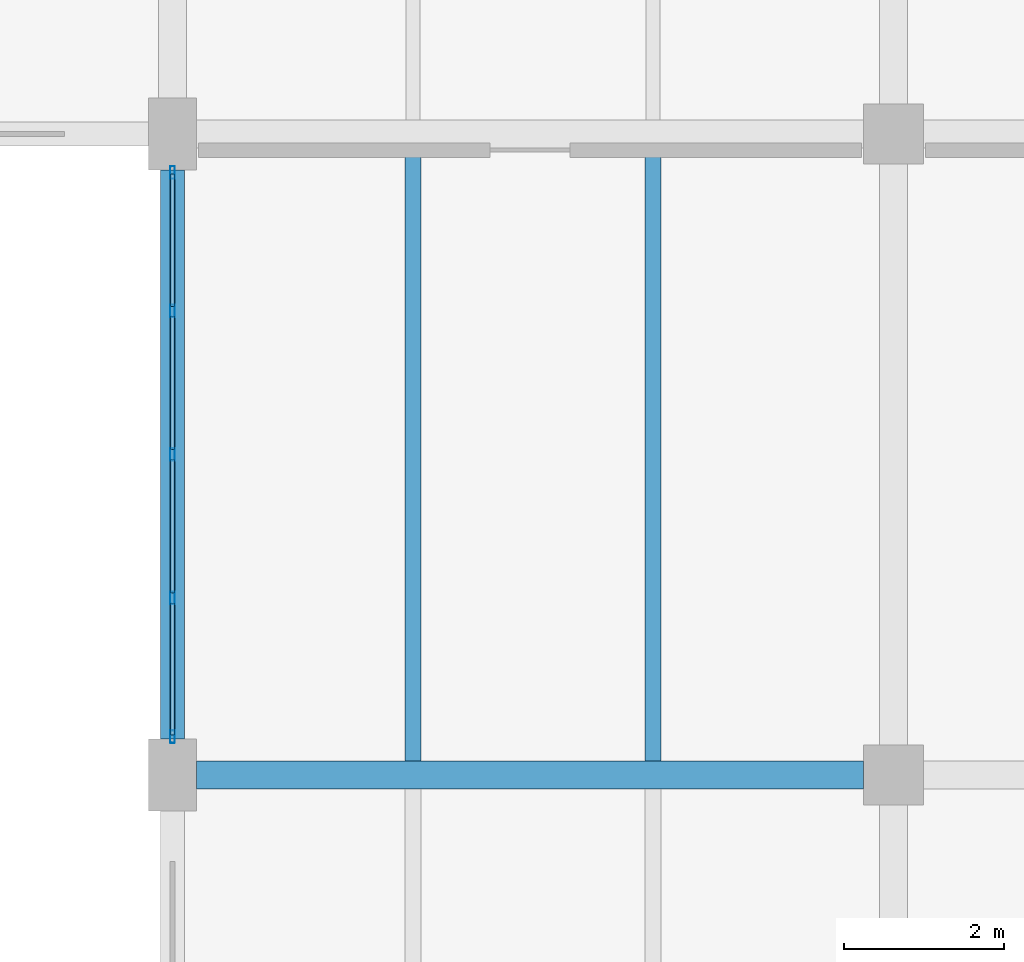
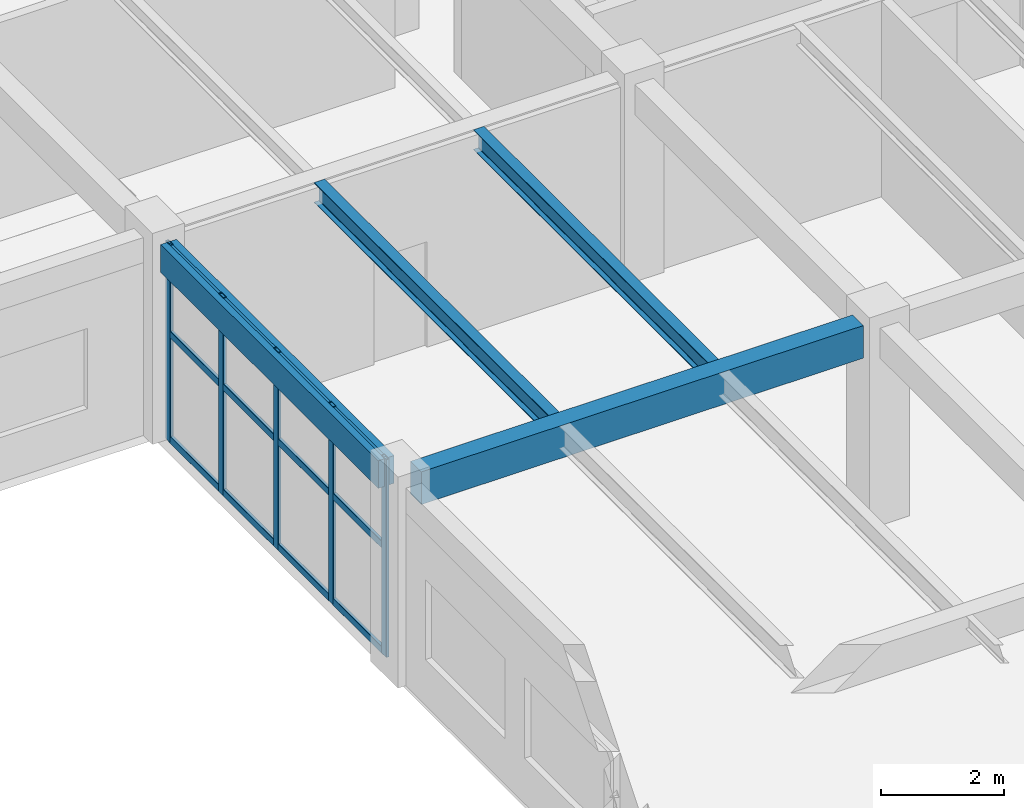
# One storey, part 87 of 128: 17 members, 4 beams, 1 element without a shape of its own.
"""IFC4 building model written with IfcOpenShell, lengths in metres."""

from ifc_helpers import new_model, si_unit, derived_unit, direction, frame, origin, origin_2d, place, context, subcontext, project, spatial, rectangle, hollow_rectangle, i_section, extrude, material, material_profile, profile_set, type_object, element, aggregate, save


model = new_model("IFC4")

# Units and contexts
model_context = context("Model", 3, precision=1e-05, world=origin(), true_north=direction((0.0, 1.0)))
body_context = subcontext(model_context, "Body", "Model", "MODEL_VIEW")
ifc_project = project(units=[si_unit("LENGTHUNIT", "METRE"), si_unit("AREAUNIT", "SQUARE_METRE"), si_unit("VOLUMEUNIT", "CUBIC_METRE"), si_unit("PLANEANGLEUNIT", "RADIAN"), si_unit("MASSUNIT", "GRAM", prefix="KILO"), derived_unit("THERMALTRANSMITTANCEUNIT", [(si_unit("MASSUNIT", "GRAM", prefix="KILO"), 1), (si_unit("TIMEUNIT", "SECOND"), -3), (si_unit("THERMODYNAMICTEMPERATUREUNIT", "KELVIN"), -1)])], contexts=[model_context])

# Site, building, storey
site_placement = place(None, origin())
site = spatial("IfcSite", under=ifc_project, at=site_placement, CompositionType="ELEMENT")
building_placement = place(site_placement, origin())
building = spatial("IfcBuilding", under=site, at=building_placement, Name="Zhenchuan Archway Interchange", CompositionType="ELEMENT")
storey_placement = place(building_placement, frame((0.0, 0.0, 14.39990234375)))
storey = spatial("IfcBuildingStorey", under=building, at=storey_placement, Name="L03", CompositionType="ELEMENT", Elevation=14.39990234375)

# Beam
ifc_material_1 = material(Name="Concrete C40", Category="concrete")
ifc_material_profile_1 = material_profile(ifc_material_1, rectangle(XDim=0.35009765625, YDim=0.64990234375, at=origin_2d()), Name="RC 350x650")
ifc_profile_set_1 = profile_set([ifc_material_profile_1], Name="Concrete C40")
beam_type_1 = type_object("IfcBeamType", Name="BM_RC_350x650", PredefinedType="BEAM", material=ifc_profile_set_1)
beam_1_placement = place(storey_placement, frame((144.300048828125, 80.0, 3.60498046875), z_axis=(1.0, 0.0, 0.0), x_axis=(0.0, 1.0, 0.0)))
element("IfcBeam", 1, at=beam_1_placement, inside=storey, type_object=beam_type_1, Name="Beam L:17-18 (L03)", PredefinedType="BEAM", context=body_context, shape_type="SweptSolid", body=[
    extrude(rectangle(XDim=0.35009765625, YDim=0.64990234375, at=origin_2d()), origin(), (0.0, 0.0, 1.0), 8.324951171875),
])

# Curtain wall, members
ifc_material_2 = material(Name="Anodised Aluminium", Category="aluminium")
curtain_wall_type = type_object("IfcCurtainWallType", Name="CW_UNIT_4", PredefinedType="NOTDEFINED", material=ifc_material_2)
curtain_wall_placement = place(storey_placement, origin())
curtain_wall = element("IfcCurtainWall", 2, at=curtain_wall_placement, inside=storey, type_object=curtain_wall_type, Name="Unitised curtain wall CW:L03:171", PredefinedType="NOTDEFINED")
ifc_material_profile_2 = material_profile(ifc_material_2, hollow_rectangle(XDim=0.06005859375, YDim=0.159912109375, WallThickness=0.00390625, InnerFilletRadius=0.00390625, OuterFilletRadius=0.008056640625, at=origin_2d()), Name="ALU 160x60x4")
ifc_profile_set_2 = profile_set([ifc_material_profile_2], Name="Anodised Aluminium")
member_type_1 = type_object("IfcMemberType", Name="CW_MUL_150", PredefinedType="MULLION", material=ifc_profile_set_2)
member_1_placement = place(storey_placement, frame((144.0, 80.47802734375, 0.0), z_axis=(0.0, 0.0, 1.0), x_axis=(1.0, 0.0, 0.0)))
member_1 = element("IfcMember", 3, at=member_1_placement, type_object=member_type_1, Name="CW:L03:171 mullion 0", PredefinedType="MULLION", context=body_context, shape_type="SweptSolid", body=[
    extrude(hollow_rectangle(XDim=0.06005859375, YDim=0.159912109375, WallThickness=0.00390625, InnerFilletRadius=0.00390625, OuterFilletRadius=0.008056640625, at=origin_2d()), origin(), (0.0, 0.0, 1.0), 3.940185546875),
])
member_2_placement = place(storey_placement, frame((144.0, 82.208984375, 0.0), z_axis=(0.0, 0.0, 1.0), x_axis=(1.0, 0.0, 0.0)))
member_2 = element("IfcMember", 4, at=member_2_placement, type_object=member_type_1, Name="CW:L03:171 mullion 1", PredefinedType="MULLION", context=body_context, shape_type="SweptSolid", body=[
    extrude(hollow_rectangle(XDim=0.06005859375, YDim=0.159912109375, WallThickness=0.00390625, InnerFilletRadius=0.00390625, OuterFilletRadius=0.008056640625, at=origin_2d()), origin(), (0.0, 0.0, 1.0), 3.940185546875),
])
member_3_placement = place(storey_placement, frame((144.0, 84.0, 0.0), z_axis=(0.0, 0.0, 1.0), x_axis=(1.0, 0.0, 0.0)))
member_3 = element("IfcMember", 5, at=member_3_placement, type_object=member_type_1, Name="CW:L03:171 mullion 2", PredefinedType="MULLION", context=body_context, shape_type="SweptSolid", body=[
    extrude(hollow_rectangle(XDim=0.06005859375, YDim=0.159912109375, WallThickness=0.00390625, InnerFilletRadius=0.00390625, OuterFilletRadius=0.008056640625, at=origin_2d()), origin(), (0.0, 0.0, 1.0), 3.940185546875),
])
member_4_placement = place(storey_placement, frame((144.0, 85.791015625, 0.0), z_axis=(0.0, 0.0, 1.0), x_axis=(1.0, 0.0, 0.0)))
member_4 = element("IfcMember", 6, at=member_4_placement, type_object=member_type_1, Name="CW:L03:171 mullion 3", PredefinedType="MULLION", context=body_context, shape_type="SweptSolid", body=[
    extrude(hollow_rectangle(XDim=0.06005859375, YDim=0.159912109375, WallThickness=0.00390625, InnerFilletRadius=0.00390625, OuterFilletRadius=0.008056640625, at=origin_2d()), origin(), (0.0, 0.0, 1.0), 3.940185546875),
])
member_5_placement = place(storey_placement, frame((144.0, 87.52197265625, 0.0), z_axis=(0.0, 0.0, 1.0), x_axis=(1.0, 0.0, 0.0)))
member_5 = element("IfcMember", 7, at=member_5_placement, type_object=member_type_1, Name="CW:L03:171 mullion 4", PredefinedType="MULLION", context=body_context, shape_type="SweptSolid", body=[
    extrude(hollow_rectangle(XDim=0.06005859375, YDim=0.159912109375, WallThickness=0.00390625, InnerFilletRadius=0.00390625, OuterFilletRadius=0.008056640625, at=origin_2d()), origin(), (0.0, 0.0, 1.0), 3.940185546875),
])
ifc_material_profile_3 = material_profile(ifc_material_2, hollow_rectangle(XDim=0.06005859375, YDim=0.139892578125, WallThickness=0.00341796875, InnerFilletRadius=0.00341796875, OuterFilletRadius=0.007080078125, at=origin_2d()), Name="ALU 140x60x3.5")
ifc_profile_set_3 = profile_set([ifc_material_profile_3], Name="Anodised Aluminium")
member_type_2 = type_object("IfcMemberType", Name="CW_TRN_140", PredefinedType="USERDEFINED", material=ifc_profile_set_3)
member_6_placement = place(storey_placement, frame((144.0, 80.498046875, 0.06005859375), z_axis=(0.0, 1.0, 0.0), x_axis=(-1.0, 0.0, 0.0)))
member_6 = element("IfcMember", 8, at=member_6_placement, type_object=member_type_2, Name="CW:L03:171 transom 0-1", ObjectType="TRANSOM", PredefinedType="USERDEFINED", context=body_context, shape_type="SweptSolid", body=[
    extrude(hollow_rectangle(XDim=0.06005859375, YDim=0.139892578125, WallThickness=0.00341796875, InnerFilletRadius=0.00341796875, OuterFilletRadius=0.007080078125, at=origin_2d()), origin(), (0.0, 0.0, 1.0), 1.65087890625),
])
member_7_placement = place(storey_placement, frame((144.0, 80.498046875, 2.156005859375), z_axis=(0.0, 1.0, 0.0), x_axis=(-1.0, 0.0, 0.0)))
member_7 = element("IfcMember", 9, at=member_7_placement, type_object=member_type_2, Name="CW:L03:171 transom 0-2", ObjectType="TRANSOM", PredefinedType="USERDEFINED", context=body_context, shape_type="SweptSolid", body=[
    extrude(hollow_rectangle(XDim=0.06005859375, YDim=0.139892578125, WallThickness=0.00341796875, InnerFilletRadius=0.00341796875, OuterFilletRadius=0.007080078125, at=origin_2d()), origin(), (0.0, 0.0, 1.0), 1.65087890625),
])
member_8_placement = place(storey_placement, frame((144.0, 80.498046875, 3.860107421875), z_axis=(0.0, 1.0, 0.0), x_axis=(-1.0, 0.0, 0.0)))
member_8 = element("IfcMember", 10, at=member_8_placement, type_object=member_type_2, Name="CW:L03:171 transom 0-3", ObjectType="TRANSOM", PredefinedType="USERDEFINED", context=body_context, shape_type="SweptSolid", body=[
    extrude(hollow_rectangle(XDim=0.06005859375, YDim=0.139892578125, WallThickness=0.00341796875, InnerFilletRadius=0.00341796875, OuterFilletRadius=0.007080078125, at=origin_2d()), origin(), (0.0, 0.0, 1.0), 1.65087890625),
])
member_9_placement = place(storey_placement, frame((144.0, 82.26904296875, 0.06005859375), z_axis=(0.0, 1.0, 0.0), x_axis=(-1.0, 0.0, 0.0)))
member_9 = element("IfcMember", 11, at=member_9_placement, type_object=member_type_2, Name="CW:L03:171 transom 1-1", ObjectType="TRANSOM", PredefinedType="USERDEFINED", context=body_context, shape_type="SweptSolid", body=[
    extrude(hollow_rectangle(XDim=0.06005859375, YDim=0.139892578125, WallThickness=0.00341796875, InnerFilletRadius=0.00341796875, OuterFilletRadius=0.007080078125, at=origin_2d()), origin(), (0.0, 0.0, 1.0), 1.6708984375),
])
member_10_placement = place(storey_placement, frame((144.0, 82.26904296875, 2.156005859375), z_axis=(0.0, 1.0, 0.0), x_axis=(-1.0, 0.0, 0.0)))
member_10 = element("IfcMember", 12, at=member_10_placement, type_object=member_type_2, Name="CW:L03:171 transom 1-2", ObjectType="TRANSOM", PredefinedType="USERDEFINED", context=body_context, shape_type="SweptSolid", body=[
    extrude(hollow_rectangle(XDim=0.06005859375, YDim=0.139892578125, WallThickness=0.00341796875, InnerFilletRadius=0.00341796875, OuterFilletRadius=0.007080078125, at=origin_2d()), origin(), (0.0, 0.0, 1.0), 1.6708984375),
])
member_11_placement = place(storey_placement, frame((144.0, 82.26904296875, 3.860107421875), z_axis=(0.0, 1.0, 0.0), x_axis=(-1.0, 0.0, 0.0)))
member_11 = element("IfcMember", 13, at=member_11_placement, type_object=member_type_2, Name="CW:L03:171 transom 1-3", ObjectType="TRANSOM", PredefinedType="USERDEFINED", context=body_context, shape_type="SweptSolid", body=[
    extrude(hollow_rectangle(XDim=0.06005859375, YDim=0.139892578125, WallThickness=0.00341796875, InnerFilletRadius=0.00341796875, OuterFilletRadius=0.007080078125, at=origin_2d()), origin(), (0.0, 0.0, 1.0), 1.6708984375),
])
member_12_placement = place(storey_placement, frame((144.0, 84.06005859375, 0.06005859375), z_axis=(0.0, 1.0, 0.0), x_axis=(-1.0, 0.0, 0.0)))
member_12 = element("IfcMember", 14, at=member_12_placement, type_object=member_type_2, Name="CW:L03:171 transom 2-1", ObjectType="TRANSOM", PredefinedType="USERDEFINED", context=body_context, shape_type="SweptSolid", body=[
    extrude(hollow_rectangle(XDim=0.06005859375, YDim=0.139892578125, WallThickness=0.00341796875, InnerFilletRadius=0.00341796875, OuterFilletRadius=0.007080078125, at=origin_2d()), origin(), (0.0, 0.0, 1.0), 1.6708984375),
])
member_13_placement = place(storey_placement, frame((144.0, 84.06005859375, 2.156005859375), z_axis=(0.0, 1.0, 0.0), x_axis=(-1.0, 0.0, 0.0)))
member_13 = element("IfcMember", 15, at=member_13_placement, type_object=member_type_2, Name="CW:L03:171 transom 2-2", ObjectType="TRANSOM", PredefinedType="USERDEFINED", context=body_context, shape_type="SweptSolid", body=[
    extrude(hollow_rectangle(XDim=0.06005859375, YDim=0.139892578125, WallThickness=0.00341796875, InnerFilletRadius=0.00341796875, OuterFilletRadius=0.007080078125, at=origin_2d()), origin(), (0.0, 0.0, 1.0), 1.6708984375),
])
member_14_placement = place(storey_placement, frame((144.0, 84.06005859375, 3.860107421875), z_axis=(0.0, 1.0, 0.0), x_axis=(-1.0, 0.0, 0.0)))
member_14 = element("IfcMember", 16, at=member_14_placement, type_object=member_type_2, Name="CW:L03:171 transom 2-3", ObjectType="TRANSOM", PredefinedType="USERDEFINED", context=body_context, shape_type="SweptSolid", body=[
    extrude(hollow_rectangle(XDim=0.06005859375, YDim=0.139892578125, WallThickness=0.00341796875, InnerFilletRadius=0.00341796875, OuterFilletRadius=0.007080078125, at=origin_2d()), origin(), (0.0, 0.0, 1.0), 1.6708984375),
])
member_15_placement = place(storey_placement, frame((144.0, 85.85107421875, 0.06005859375), z_axis=(0.0, 1.0, 0.0), x_axis=(-1.0, 0.0, 0.0)))
member_15 = element("IfcMember", 17, at=member_15_placement, type_object=member_type_2, Name="CW:L03:171 transom 3-1", ObjectType="TRANSOM", PredefinedType="USERDEFINED", context=body_context, shape_type="SweptSolid", body=[
    extrude(hollow_rectangle(XDim=0.06005859375, YDim=0.139892578125, WallThickness=0.00341796875, InnerFilletRadius=0.00341796875, OuterFilletRadius=0.007080078125, at=origin_2d()), origin(), (0.0, 0.0, 1.0), 1.65087890625),
])
member_16_placement = place(storey_placement, frame((144.0, 85.85107421875, 2.156005859375), z_axis=(0.0, 1.0, 0.0), x_axis=(-1.0, 0.0, 0.0)))
member_16 = element("IfcMember", 18, at=member_16_placement, type_object=member_type_2, Name="CW:L03:171 transom 3-2", ObjectType="TRANSOM", PredefinedType="USERDEFINED", context=body_context, shape_type="SweptSolid", body=[
    extrude(hollow_rectangle(XDim=0.06005859375, YDim=0.139892578125, WallThickness=0.00341796875, InnerFilletRadius=0.00341796875, OuterFilletRadius=0.007080078125, at=origin_2d()), origin(), (0.0, 0.0, 1.0), 1.65087890625),
])
member_17_placement = place(storey_placement, frame((144.0, 85.85107421875, 3.860107421875), z_axis=(0.0, 1.0, 0.0), x_axis=(-1.0, 0.0, 0.0)))
member_17 = element("IfcMember", 19, at=member_17_placement, type_object=member_type_2, Name="CW:L03:171 transom 3-3", ObjectType="TRANSOM", PredefinedType="USERDEFINED", context=body_context, shape_type="SweptSolid", body=[
    extrude(hollow_rectangle(XDim=0.06005859375, YDim=0.139892578125, WallThickness=0.00341796875, InnerFilletRadius=0.00341796875, OuterFilletRadius=0.007080078125, at=origin_2d()), origin(), (0.0, 0.0, 1.0), 1.65087890625),
])
aggregate(curtain_wall, [member_1, member_2, member_3, member_4, member_5, member_6, member_7, member_8, member_9, member_10, member_11, member_12, member_13, member_14, member_15, member_16, member_17])

# Beams
ifc_material_3 = material(Name="Steel Q355", Category="steel")
ifc_material_profile_4 = material_profile(ifc_material_3, i_section(OverallWidth=0.199951171875, OverallDepth=0.39990234375, WebThickness=0.008056640625, FlangeThickness=0.012939453125, FilletRadius=0.01611328125, at=origin_2d()), Name="HN 400x200")
ifc_profile_set_4 = profile_set([ifc_material_profile_4], Name="Steel Q355")
beam_type_2 = type_object("IfcBeamType", Name="JST_STL_HN400", PredefinedType="JOIST", material=ifc_profile_set_4)
for number, where, z_axis, x_axis, name in (
    (20, (147.0, 80.175048828125, 3.72998046875), (0.0, 1.0, 0.0), (-1.0, 0.0, 0.0), "Secondary joist 17-18/L-M #1 (L03)"),
    (21, (150.0, 80.175048828125, 3.72998046875), (0.0, 1.0, 0.0), (-1.0, 0.0, 0.0), "Secondary joist 17-18/L-M #2 (L03)"),
):
    element("IfcBeam", number, at=place(storey_placement, frame(where, z_axis=z_axis, x_axis=x_axis)), inside=storey, type_object=beam_type_2, Name=name, PredefinedType="JOIST", context=body_context, shape_type="SweptSolid", body=[
        extrude(i_section(OverallWidth=0.199951171875, OverallDepth=0.39990234375, WebThickness=0.008056640625, FlangeThickness=0.012939453125, FilletRadius=0.01611328125, at=origin_2d()), origin(), (0.0, 0.0, 1.0), 7.64990234375),
    ])
ifc_material_profile_5 = material_profile(ifc_material_1, rectangle(XDim=0.300048828125, YDim=0.550048828125, at=origin_2d()), Name="RC 300x550")
ifc_profile_set_5 = profile_set([ifc_material_profile_5], Name="Concrete C40")
beam_type_3 = type_object("IfcBeamType", Name="SP_RC_300x550", PredefinedType="SPANDREL", material=ifc_profile_set_5)
beam_2_placement = place(storey_placement, frame((144.0, 80.449951171875, 3.655029296875), z_axis=(0.0, 1.0, 0.0), x_axis=(-1.0, 0.0, 0.0)))
element("IfcBeam", 22, at=beam_2_placement, inside=storey, type_object=beam_type_3, Name="Beam 17:L-M (L03)", PredefinedType="SPANDREL", context=body_context, shape_type="SweptSolid", body=[
    extrude(rectangle(XDim=0.300048828125, YDim=0.550048828125, at=origin_2d()), origin(), (0.0, 0.0, 1.0), 7.10009765625),
])

save(model, "model.ifc")
